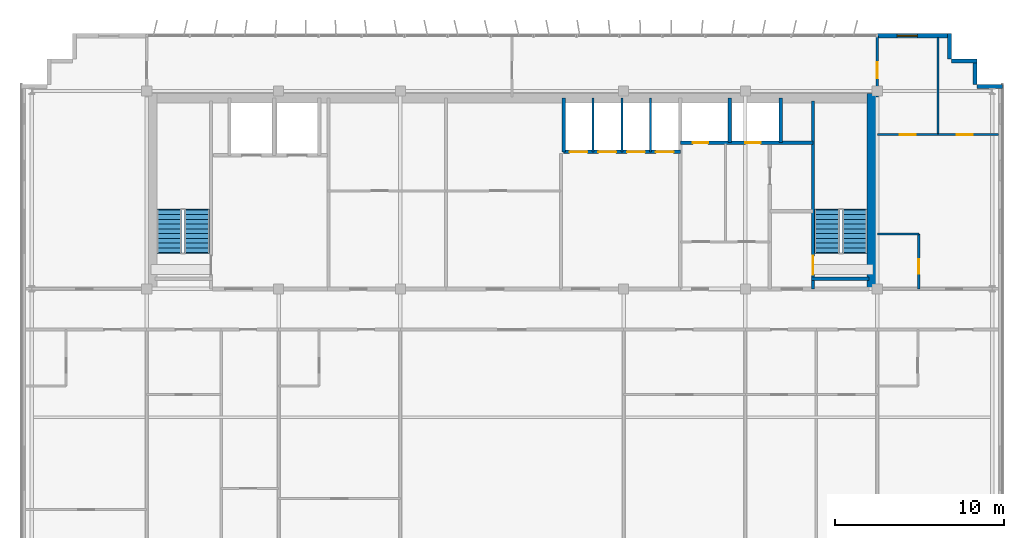
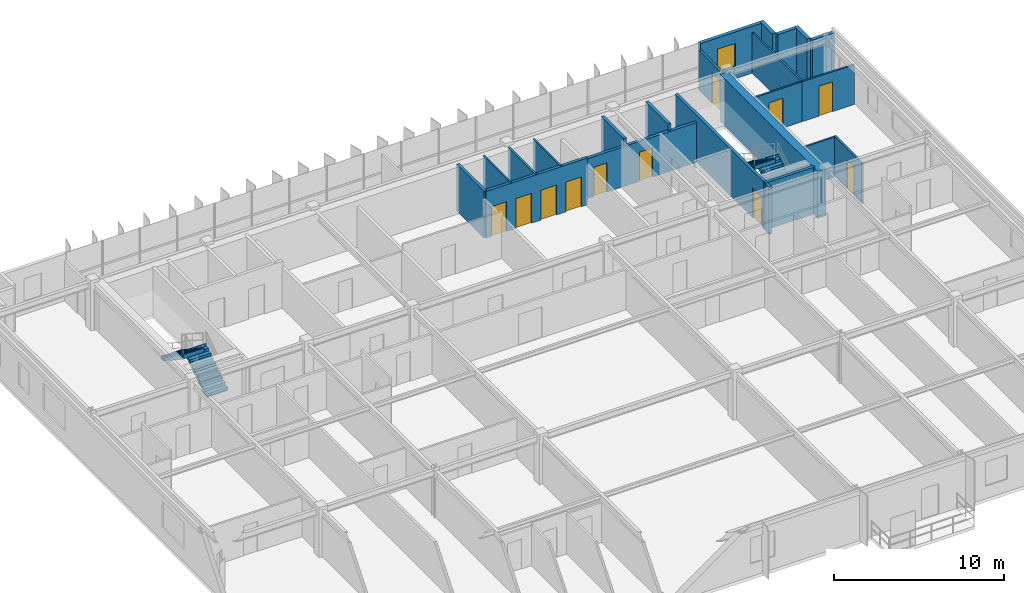
# One storey, part 20 of 22: 22 walls, 11 doors, 4 stair flights, 1 window, 12 openings, 2 elements without a shape of their own.
"""IFC4 building model written with IfcOpenShell, lengths in metres."""

from ifc_helpers import new_model, si_unit, direction, frame, frame_2d, origin, place, context, subcontext, project, spatial, polyline, rectangle, outline, extrude, source, transform, mapped, material, layer, layer_set, type_object, element, fill, aggregate, save


model = new_model("IFC4")

# Units and contexts
model_context = context("Model", 3, precision=1e-05, world=origin(), true_north=direction((0.0, 1.0)))
body_context = subcontext(model_context, "Body", "Model", "MODEL_VIEW")
ifc_project = project(units=[si_unit("LENGTHUNIT", "METRE"), si_unit("AREAUNIT", "SQUARE_METRE"), si_unit("VOLUMEUNIT", "CUBIC_METRE"), si_unit("PLANEANGLEUNIT", "RADIAN"), si_unit("MASSUNIT", "GRAM", prefix="KILO")], contexts=[model_context])

# Site, building, storey
site_placement = place(None, origin())
site = spatial("IfcSite", under=ifc_project, at=site_placement, CompositionType="ELEMENT")
building_placement = place(site_placement, origin())
building = spatial("IfcBuilding", under=site, at=building_placement, Name="Trelvane Seafront Commons", CompositionType="ELEMENT")
storey_placement = place(building_placement, frame((0.0, 0.0, 270.300048828125)))
storey = spatial("IfcBuildingStorey", under=building, at=storey_placement, Name="L70", CompositionType="ELEMENT", Elevation=270.300048828125)

# Wall, opening, window
ifc_material_1 = material(Name="Precast concrete C40/50", Category="concrete")
ifc_layer_1 = layer(ifc_material_1, 0.239990234375, Name="ARCH-WALL-EXT240")
ifc_layer_set_1 = layer_set([ifc_layer_1], Name="Precast concrete C40/50")
wall_type_1 = type_object("IfcWallType", Name="ARCH-WALL-EXT240", PredefinedType="SOLIDWALL", material=ifc_layer_set_1)
wall_1_placement = place(storey_placement, frame((58.800048828125, 48.3701171875, 0.0), z_axis=(0.0, 0.0, 1.0), x_axis=(1.0, 0.0, 0.0)))
wall_1 = element("IfcWall", 1, at=wall_1_placement, inside=storey, type_object=wall_type_1, Name="EW-L70-NE-1404", PredefinedType="SOLIDWALL", context=body_context, shape_type="SweptSolid", body=[
    extrude(rectangle(XDim=4.300048828125, YDim=0.239990234375, at=frame_2d((2.14990234375, 0.0))), origin(), (0.0, 0.0, 1.0), 3.369873046875),
])
opening_1_placement = place(wall_1_placement, frame((1.1689453125, 0.0, 0.89990234375)))
opening_1 = element("IfcOpeningElement", 2, at=opening_1_placement, cuts=wall_1, Name="Opening W05", PredefinedType="OPENING", context=body_context, shape_type="SweptSolid", body=[
    extrude(rectangle(XDim=1.199951171875, YDim=1.64990234375, at=frame_2d((0.60009765625, 0.824951171875))), frame((0.0, 0.1298828125, 0.0), z_axis=(0.0, -1.0, 0.0), x_axis=(1.0, 0.0, 0.0)), (0.0, 0.0, 1.0), 0.260009765625),
])
ifc_material_2 = material(Name="Low-E coastal double glazing", Category="glass")
window_type = type_object("IfcWindowType", Name="ARCH-WIN-W05", PartitioningType="SINGLE_PANEL", PredefinedType="WINDOW", material=ifc_material_2)
shared_shape_1 = source(origin(), body_context, "Body", "SweptSolid", [
    extrude(rectangle(XDim=1.199951171875, YDim=1.64990234375, at=frame_2d((0.60009765625, 0.824951171875))), frame((0.0, 0.030029296875, 0.0), z_axis=(0.0, -1.0, 0.0), x_axis=(1.0, 0.0, 0.0)), (0.0, 0.0, 1.0), 0.06005859375),
])
window_placement = place(opening_1_placement, origin())
window = element("IfcWindow", 3, at=window_placement, inside=storey, type_object=window_type, Name="WIN-L70-01673", OverallHeight=1.64990234375, OverallWidth=1.199951171875, PartitioningType="SINGLE_PANEL", PredefinedType="WINDOW", context=body_context, shape_type="MappedRepresentation", body=[
    mapped(shared_shape_1, transform((0.0, 0.0, 0.0), x_axis=(1.0, 0.0, 0.0), y_axis=(0.0, 1.0, 0.0), z_axis=(0.0, 0.0, 1.0), scale=1.0)),
])
fill(opening_1, window)

# Walls
for number, where, z_axis, x_axis, name in (
    (4, (63.080078125, 48.5, 0.0), (0.0, 0.0, 1.0), (0.0, -1.0, 0.0), "EW-L70-01413"),
    (5, (63.199951171875, 46.8798828125, 0.0), (0.0, 0.0, 1.0), (1.0, 0.0, 0.0), "EW-L70-01414"),
    (6, (64.580078125, 47.0, 0.0), (0.0, 0.0, 1.0), (0.0, -1.0, 0.0), "EW-L70-01415"),
    (7, (64.699951171875, 45.3798828125, 0.0), (0.0, 0.0, 1.0), (1.0, 0.0, 0.0), "EW-L70-01416"),
):
    element("IfcWall", number, at=place(storey_placement, frame(where, z_axis=z_axis, x_axis=x_axis)), inside=storey, type_object=wall_type_1, Name=name, PredefinedType="SOLIDWALL", context=body_context, shape_type="SweptSolid", body=[
        extrude(rectangle(XDim=1.5, YDim=0.239990234375, at=frame_2d((0.75, 0.0))), origin(), (0.0, 0.0, 1.0), 3.369873046875),
    ])
ifc_material_3 = material(Name="Gypsum Drywall Acoustic Partition")
ifc_layer_2 = layer(ifc_material_3, 0.1201171875, Name="ARCH-WALL-PART120")
ifc_layer_set_2 = layer_set([ifc_layer_2], Name="Gypsum Drywall Acoustic Partition")
wall_type_2 = type_object("IfcWallType", Name="ARCH-WALL-PART120", PredefinedType="PARTITIONING", material=ifc_layer_set_2)
for number, where, z_axis, x_axis, name in (
    (8, (42.0, 41.5, 0.0), (0.0, 0.0, 1.0), (0.0, 1.0, 0.0), "W-L70-PH-DIV1-020"),
    (9, (43.699951171875, 41.5, 0.0), (0.0, 0.0, 1.0), (0.0, 1.0, 0.0), "W-L70-PH-DIV2-021"),
    (10, (45.39990234375, 41.5, 0.0), (0.0, 0.0, 1.0), (0.0, 1.0, 0.0), "W-L70-PH-DIV3-022"),
):
    element("IfcWall", number, at=place(storey_placement, frame(where, z_axis=z_axis, x_axis=x_axis)), inside=storey, type_object=wall_type_2, Name=name, PredefinedType="PARTITIONING", context=body_context, shape_type="SweptSolid", body=[
        extrude(rectangle(XDim=3.199951171875, YDim=0.1201171875, at=frame_2d((1.60009765625, 0.0))), origin(), (0.0, 0.0, 1.0), 3.369873046875),
    ])

# Wall, opening, door
wall_2_placement = place(storey_placement, frame((61.25, 33.39990234375, 0.0), z_axis=(0.0, 0.0, 1.0), x_axis=(0.0, 1.0, 0.0)))
wall_2 = element("IfcWall", 11, at=wall_2_placement, inside=storey, type_object=wall_type_2, Name="W-L70-NE-BE-036", PredefinedType="PARTITIONING", context=body_context, shape_type="SweptSolid", body=[
    extrude(rectangle(XDim=3.25, YDim=0.1201171875, at=frame_2d((1.625, 0.0))), origin(), (0.0, 0.0, 1.0), 2.919921875),
])
opening_2_placement = place(wall_2_placement, frame((0.89990234375, 0.0, 0.0)))
opening_2 = element("IfcOpeningElement", 12, at=opening_2_placement, cuts=wall_2, Name="Opening D-L70-23", PredefinedType="OPENING", context=body_context, shape_type="SweptSolid", body=[
    extrude(rectangle(XDim=0.85009765625, YDim=2.10009765625, at=frame_2d((0.425048828125, 1.050048828125))), frame((0.0, 0.070068359375, 0.0), z_axis=(0.0, -1.0, 0.0), x_axis=(1.0, 0.0, 0.0)), (0.0, 0.0, 1.0), 0.14013671875),
])
ifc_material_4 = material(Name="Acoustic timber door leaf", Category="wood")
door_type_1 = type_object("IfcDoorType", Name="ARCH-DR-INT850", OperationType="NOTDEFINED", PredefinedType="DOOR", material=ifc_material_4)
shared_shape_2 = source(origin(), body_context, "Body", "SweptSolid", [
    extrude(rectangle(XDim=0.85009765625, YDim=2.10009765625, at=frame_2d((0.425048828125, 1.050048828125))), frame((0.0, 0.02490234375, 0.0), z_axis=(0.0, -1.0, 0.0), x_axis=(1.0, 0.0, 0.0)), (0.0, 0.0, 1.0), 0.050048828125),
])
door_1_placement = place(opening_2_placement, origin())
door_1 = element("IfcDoor", 13, at=door_1_placement, inside=storey, type_object=door_type_1, Name="L70 Door 23", OperationType="SINGLE_SWING_LEFT", OverallHeight=2.10009765625, OverallWidth=0.85009765625, PredefinedType="DOOR", context=body_context, shape_type="MappedRepresentation", body=[
    mapped(shared_shape_2, transform((0.0, 0.0, 0.0), x_axis=(1.0, 0.0, 0.0), y_axis=(0.0, 1.0, 0.0), z_axis=(0.0, 0.0, 1.0), scale=1.0)),
])
fill(opening_2, door_1)

# Wall
wall_3_placement = place(storey_placement, frame((58.800048828125, 36.64990234375, 0.0), z_axis=(0.0, 0.0, 1.0), x_axis=(1.0, 0.0, 0.0)))
element("IfcWall", 14, at=wall_3_placement, inside=storey, type_object=wall_type_2, Name="W-L70-NE-BN-037", PredefinedType="PARTITIONING", context=body_context, shape_type="SweptSolid", body=[
    extrude(rectangle(XDim=2.449951171875, YDim=0.1201171875, at=frame_2d((1.22509765625, 0.0))), origin(), (0.0, 0.0, 1.0), 2.869873046875),
])

# Wall, opening, door
wall_4_placement = place(storey_placement, frame((58.800048828125, 42.52001953125, 0.0), z_axis=(0.0, 0.0, 1.0), x_axis=(1.0, 0.0, 0.0)))
wall_4 = element("IfcWall", 15, at=wall_4_placement, inside=storey, type_object=wall_type_2, Name="W-L70-NE-KB1-038", PredefinedType="PARTITIONING", context=body_context, shape_type="SweptSolid", body=[
    extrude(rectangle(XDim=3.574951171875, YDim=0.1201171875, at=frame_2d((1.78759765625, 0.0))), origin(), (0.0, 0.0, 1.0), 2.869873046875),
])
opening_3_placement = place(wall_4_placement, frame((1.31298828125, 0.0, 0.0)))
opening_3 = element("IfcOpeningElement", 16, at=opening_3_placement, cuts=wall_4, Name="Opening D-L70-24", PredefinedType="OPENING", context=body_context, shape_type="SweptSolid", body=[
    extrude(rectangle(XDim=0.949951171875, YDim=2.14990234375, at=frame_2d((0.47509765625, 1.074951171875))), frame((0.0, 0.070068359375, 0.0), z_axis=(0.0, -1.0, 0.0), x_axis=(1.0, 0.0, 0.0)), (0.0, 0.0, 1.0), 0.14013671875),
])
door_type_2 = type_object("IfcDoorType", Name="ARCH-DR-INT950", OperationType="NOTDEFINED", PredefinedType="DOOR", material=ifc_material_4)
shared_shape_3 = source(origin(), body_context, "Body", "SweptSolid", [
    extrude(rectangle(XDim=0.949951171875, YDim=2.14990234375, at=frame_2d((0.47509765625, 1.074951171875))), frame((0.0, 0.02490234375, 0.0), z_axis=(0.0, -1.0, 0.0), x_axis=(1.0, 0.0, 0.0)), (0.0, 0.0, 1.0), 0.050048828125),
])
door_2_placement = place(opening_3_placement, origin())
door_2 = element("IfcDoor", 17, at=door_2_placement, inside=storey, type_object=door_type_2, Name="L70 Door 24", OperationType="SINGLE_SWING_RIGHT", OverallHeight=2.14990234375, OverallWidth=0.949951171875, PredefinedType="DOOR", context=body_context, shape_type="MappedRepresentation", body=[
    mapped(shared_shape_3, transform((0.0, 0.0, 0.0), x_axis=(1.0, 0.0, 0.0), y_axis=(0.0, 1.0, 0.0), z_axis=(0.0, 0.0, 1.0), scale=1.0)),
])
fill(opening_3, door_2)

wall_5_placement = place(storey_placement, frame((62.375, 42.52001953125, 0.0), z_axis=(0.0, 0.0, 1.0), x_axis=(1.0, 0.0, 0.0)))
wall_5 = element("IfcWall", 18, at=wall_5_placement, inside=storey, type_object=wall_type_2, Name="W-L70-NE-KB2-039", PredefinedType="PARTITIONING", context=body_context, shape_type="SweptSolid", body=[
    extrude(rectangle(XDim=3.574951171875, YDim=0.1201171875, at=frame_2d((1.78759765625, 0.0))), origin(), (0.0, 0.0, 1.0), 2.869873046875),
])
opening_4_placement = place(wall_5_placement, frame((1.1259765625, 0.0, 0.0)))
opening_4 = element("IfcOpeningElement", 19, at=opening_4_placement, cuts=wall_5, Name="Opening D-L70-25", PredefinedType="OPENING", context=body_context, shape_type="SweptSolid", body=[
    extrude(rectangle(XDim=0.949951171875, YDim=2.14990234375, at=frame_2d((0.47509765625, 1.074951171875))), frame((0.0, 0.070068359375, 0.0), z_axis=(0.0, -1.0, 0.0), x_axis=(1.0, 0.0, 0.0)), (0.0, 0.0, 1.0), 0.14013671875),
])
door_3_placement = place(opening_4_placement, origin())
door_3 = element("IfcDoor", 20, at=door_3_placement, inside=storey, type_object=door_type_2, Name="L70 Door 25", OperationType="SINGLE_SWING_LEFT", OverallHeight=2.14990234375, OverallWidth=0.949951171875, PredefinedType="DOOR", context=body_context, shape_type="MappedRepresentation", body=[
    mapped(shared_shape_3, transform((0.0, 0.0, 0.0), x_axis=(1.0, 0.0, 0.0), y_axis=(0.0, 1.0, 0.0), z_axis=(0.0, 0.0, 1.0), scale=1.0)),
])
fill(opening_4, door_3)

# Wall
wall_6_placement = place(storey_placement, frame((62.375, 42.52001953125, 0.0), z_axis=(0.0, 0.0, 1.0), x_axis=(0.0, 1.0, 0.0)))
element("IfcWall", 21, at=wall_6_placement, inside=storey, type_object=wall_type_2, Name="W-L70-NE-KBDV-040", PredefinedType="PARTITIONING", context=body_context, shape_type="SweptSolid", body=[
    extrude(rectangle(XDim=5.739990234375, YDim=0.1201171875, at=frame_2d((2.8701171875, 0.0))), origin(), (0.0, 0.0, 1.0), 2.919921875),
])

# Wall, opening, door
ifc_layer_3 = layer(ifc_material_3, 0.14990234375, Name="ARCH-WALL-PART150")
ifc_layer_set_3 = layer_set([ifc_layer_3], Name="Gypsum Drywall Acoustic Partition")
wall_type_3 = type_object("IfcWallType", Name="ARCH-WALL-PART150", PredefinedType="PARTITIONING", material=ifc_layer_set_3)
wall_7_placement = place(storey_placement, frame((58.800048828125, 44.75, 0.0), z_axis=(0.0, 0.0, 1.0), x_axis=(0.0, 1.0, 0.0)))
wall_7 = element("IfcWall", 22, at=wall_7_placement, inside=storey, type_object=wall_type_3, Name="W-L70-N-LINK-E-044", PredefinedType="PARTITIONING", context=body_context, shape_type="SweptSolid", body=[
    extrude(rectangle(XDim=3.610107421875, YDim=0.14990234375, at=frame_2d((1.80517578125, 0.0))), origin(), (0.0, 0.0, 1.0), 2.869873046875),
])
opening_5_placement = place(wall_7_placement, frame((1.10009765625, 0.0, 0.0)))
opening_5 = element("IfcOpeningElement", 23, at=opening_5_placement, cuts=wall_7, Name="Opening FD-L70-29", PredefinedType="OPENING", context=body_context, shape_type="SweptSolid", body=[
    extrude(rectangle(XDim=0.949951171875, YDim=2.14990234375, at=frame_2d((0.47509765625, 1.074951171875))), frame((0.0, 0.0849609375, 0.0), z_axis=(0.0, -1.0, 0.0), x_axis=(1.0, 0.0, 0.0)), (0.0, 0.0, 1.0), 0.169921875),
])
ifc_material_5 = material(Name="Powder-coated aluminium frame", Category="aluminium")
door_type_3 = type_object("IfcDoorType", Name="ARCH-DR-FD60-950", OperationType="NOTDEFINED", PredefinedType="DOOR", material=ifc_material_5)
door_4_placement = place(opening_5_placement, origin())
door_4 = element("IfcDoor", 24, at=door_4_placement, inside=storey, type_object=door_type_3, Name="L70 Door 29", OperationType="SINGLE_SWING_LEFT", OverallHeight=2.14990234375, OverallWidth=0.949951171875, PredefinedType="DOOR", context=body_context, shape_type="MappedRepresentation", body=[
    mapped(shared_shape_3, transform((0.0, 0.0, 0.0), x_axis=(1.0, 0.0, 0.0), y_axis=(0.0, 1.0, 0.0), z_axis=(0.0, 0.0, 1.0), scale=1.0)),
])
fill(opening_5, door_4)

# Wall, openings, doors
ifc_material_6 = material(Name="Concrete C40/50", Category="concrete")
ifc_layer_4 = layer(ifc_material_6, 0.199951171875, Name="ARCH-WALL-SHAFT200")
ifc_layer_set_4 = layer_set([ifc_layer_4], Name="Concrete C40/50")
wall_type_4 = type_object("IfcWallType", Name="ARCH-WALL-SHAFT200", PredefinedType="SOLIDWALL", material=ifc_layer_set_4)
wall_8_placement = place(storey_placement, frame((40.25, 41.5, 0.0), z_axis=(0.0, 0.0, 1.0), x_axis=(1.0, 0.0, 0.0)))
wall_8 = element("IfcWall", 25, at=wall_8_placement, inside=storey, type_object=wall_type_4, Name="W-L70-PH-FRONT-018", PredefinedType="SOLIDWALL", context=body_context, shape_type="SweptSolid", body=[
    extrude(rectangle(XDim=6.89990234375, YDim=0.199951171875, at=frame_2d((3.449951171875, 0.0))), origin(), (0.0, 0.0, 1.0), 3.369873046875),
])
opening_6_placement = place(wall_8_placement, frame((0.35009765625, 0.0, 0.0)))
opening_6 = element("IfcOpeningElement", 26, at=opening_6_placement, cuts=wall_8, Name="Opening LD-PH1-L70", PredefinedType="OPENING", context=body_context, shape_type="SweptSolid", body=[
    extrude(rectangle(XDim=1.050048828125, YDim=2.14990234375, at=frame_2d((0.52490234375, 1.074951171875))), frame((0.0, 0.10986328125, 0.0), z_axis=(0.0, -1.0, 0.0), x_axis=(1.0, 0.0, 0.0)), (0.0, 0.0, 1.0), 0.219970703125),
])
opening_7_placement = place(wall_8_placement, frame((2.050048828125, 0.0, 0.0)))
opening_7 = element("IfcOpeningElement", 27, at=opening_7_placement, cuts=wall_8, Name="Opening LD-PH2-L70", PredefinedType="OPENING", context=body_context, shape_type="SweptSolid", body=[
    extrude(rectangle(XDim=1.050048828125, YDim=2.14990234375, at=frame_2d((0.52490234375, 1.074951171875))), frame((0.0, 0.10986328125, 0.0), z_axis=(0.0, -1.0, 0.0), x_axis=(1.0, 0.0, 0.0)), (0.0, 0.0, 1.0), 0.219970703125),
])
opening_8_placement = place(wall_8_placement, frame((3.75, 0.0, 0.0)))
opening_8 = element("IfcOpeningElement", 28, at=opening_8_placement, cuts=wall_8, Name="Opening LD-PH3-L70", PredefinedType="OPENING", context=body_context, shape_type="SweptSolid", body=[
    extrude(rectangle(XDim=1.050048828125, YDim=2.14990234375, at=frame_2d((0.52490234375, 1.074951171875))), frame((0.0, 0.10986328125, 0.0), z_axis=(0.0, -1.0, 0.0), x_axis=(1.0, 0.0, 0.0)), (0.0, 0.0, 1.0), 0.219970703125),
])
opening_9_placement = place(wall_8_placement, frame((5.449951171875, 0.0, 0.0)))
opening_9 = element("IfcOpeningElement", 29, at=opening_9_placement, cuts=wall_8, Name="Opening LD-PH4-L70", PredefinedType="OPENING", context=body_context, shape_type="SweptSolid", body=[
    extrude(rectangle(XDim=1.050048828125, YDim=2.14990234375, at=frame_2d((0.52490234375, 1.074951171875))), frame((0.0, 0.10986328125, 0.0), z_axis=(0.0, -1.0, 0.0), x_axis=(1.0, 0.0, 0.0)), (0.0, 0.0, 1.0), 0.219970703125),
])
ifc_material_7 = material(Name="Stainless steel balustrade", Category="steel")
door_type_4 = type_object("IfcDoorType", Name="ARCH-DR-LD1050", OperationType="DOUBLE_DOOR_SLIDING", PredefinedType="DOOR", material=ifc_material_7)
shared_shape_4 = source(origin(), body_context, "Body", "SweptSolid", [
    extrude(rectangle(XDim=1.050048828125, YDim=2.14990234375, at=frame_2d((0.52490234375, 1.074951171875))), frame((0.0, 0.02490234375, 0.0), z_axis=(0.0, -1.0, 0.0), x_axis=(1.0, 0.0, 0.0)), (0.0, 0.0, 1.0), 0.050048828125),
])
door_5_placement = place(opening_6_placement, origin())
door_5 = element("IfcDoor", 30, at=door_5_placement, inside=storey, type_object=door_type_4, Name="L70 Passenger Lift PH-1 Landing Door", OperationType="DOUBLE_DOOR_SLIDING", OverallHeight=2.14990234375, OverallWidth=1.050048828125, PredefinedType="DOOR", context=body_context, shape_type="MappedRepresentation", body=[
    mapped(shared_shape_4, transform((0.0, 0.0, 0.0), x_axis=(1.0, 0.0, 0.0), y_axis=(0.0, 1.0, 0.0), z_axis=(0.0, 0.0, 1.0), scale=1.0)),
])
fill(opening_6, door_5)
door_6_placement = place(opening_7_placement, origin())
door_6 = element("IfcDoor", 31, at=door_6_placement, inside=storey, type_object=door_type_4, Name="L70 Passenger Lift PH-2 Landing Door", OperationType="DOUBLE_DOOR_SLIDING", OverallHeight=2.14990234375, OverallWidth=1.050048828125, PredefinedType="DOOR", context=body_context, shape_type="MappedRepresentation", body=[
    mapped(shared_shape_4, transform((0.0, 0.0, 0.0), x_axis=(1.0, 0.0, 0.0), y_axis=(0.0, 1.0, 0.0), z_axis=(0.0, 0.0, 1.0), scale=1.0)),
])
fill(opening_7, door_6)
door_7_placement = place(opening_8_placement, origin())
door_7 = element("IfcDoor", 32, at=door_7_placement, inside=storey, type_object=door_type_4, Name="L70 Passenger Lift PH-3 Landing Door", OperationType="DOUBLE_DOOR_SLIDING", OverallHeight=2.14990234375, OverallWidth=1.050048828125, PredefinedType="DOOR", context=body_context, shape_type="MappedRepresentation", body=[
    mapped(shared_shape_4, transform((0.0, 0.0, 0.0), x_axis=(1.0, 0.0, 0.0), y_axis=(0.0, 1.0, 0.0), z_axis=(0.0, 0.0, 1.0), scale=1.0)),
])
fill(opening_8, door_7)
door_8_placement = place(opening_9_placement, origin())
door_8 = element("IfcDoor", 33, at=door_8_placement, inside=storey, type_object=door_type_4, Name="L70 Passenger Lift PH-4 Landing Door", OperationType="DOUBLE_DOOR_SLIDING", OverallHeight=2.14990234375, OverallWidth=1.050048828125, PredefinedType="DOOR", context=body_context, shape_type="MappedRepresentation", body=[
    mapped(shared_shape_4, transform((0.0, 0.0, 0.0), x_axis=(1.0, 0.0, 0.0), y_axis=(0.0, 1.0, 0.0), z_axis=(0.0, 0.0, 1.0), scale=1.0)),
])
fill(opening_9, door_8)

# Wall
wall_9_placement = place(storey_placement, frame((40.25, 41.5, 0.0), z_axis=(0.0, 0.0, 1.0), x_axis=(0.0, 1.0, 0.0)))
element("IfcWall", 34, at=wall_9_placement, inside=storey, type_object=wall_type_4, Name="W-L70-PH-WEST-SH-019", PredefinedType="SOLIDWALL", context=body_context, shape_type="SweptSolid", body=[
    extrude(rectangle(XDim=3.199951171875, YDim=0.199951171875, at=frame_2d((1.60009765625, 0.0))), origin(), (0.0, 0.0, 1.0), 3.369873046875),
])

# Wall, openings, doors
wall_10_placement = place(storey_placement, frame((47.14990234375, 42.050048828125, 0.0), z_axis=(0.0, 0.0, 1.0), x_axis=(1.0, 0.0, 0.0)))
wall_10 = element("IfcWall", 35, at=wall_10_placement, inside=storey, type_object=wall_type_4, Name="W-L70-RSR-S-027", PredefinedType="SOLIDWALL", context=body_context, shape_type="SweptSolid", body=[
    extrude(rectangle(XDim=7.85009765625, YDim=0.199951171875, at=frame_2d((3.925048828125, 0.0))), origin(), (0.0, 0.0, 1.0), 2.869873046875),
])
opening_10_placement = place(wall_10_placement, frame((0.75, 0.0, 0.0)))
opening_10 = element("IfcOpeningElement", 36, at=opening_10_placement, cuts=wall_10, Name="Opening FD-L70-15", PredefinedType="OPENING", context=body_context, shape_type="SweptSolid", body=[
    extrude(rectangle(XDim=0.89990234375, YDim=2.10009765625, at=frame_2d((0.449951171875, 1.050048828125))), frame((0.0, 0.10986328125, 0.0), z_axis=(0.0, -1.0, 0.0), x_axis=(1.0, 0.0, 0.0)), (0.0, 0.0, 1.0), 0.219970703125),
])
opening_11_placement = place(wall_10_placement, frame((3.85009765625, 0.0, 0.0)))
opening_11 = element("IfcOpeningElement", 37, at=opening_11_placement, cuts=wall_10, Name="Opening FD-L70-16", PredefinedType="OPENING", context=body_context, shape_type="SweptSolid", body=[
    extrude(rectangle(XDim=0.89990234375, YDim=2.10009765625, at=frame_2d((0.449951171875, 1.050048828125))), frame((0.0, 0.10986328125, 0.0), z_axis=(0.0, -1.0, 0.0), x_axis=(1.0, 0.0, 0.0)), (0.0, 0.0, 1.0), 0.219970703125),
])
door_type_5 = type_object("IfcDoorType", Name="ARCH-DR-FD60-900", OperationType="NOTDEFINED", PredefinedType="DOOR", material=ifc_material_5)
shared_shape_5 = source(origin(), body_context, "Body", "SweptSolid", [
    extrude(rectangle(XDim=0.89990234375, YDim=2.10009765625, at=frame_2d((0.449951171875, 1.050048828125))), frame((0.0, 0.02490234375, 0.0), z_axis=(0.0, -1.0, 0.0), x_axis=(1.0, 0.0, 0.0)), (0.0, 0.0, 1.0), 0.050048828125),
])
door_9_placement = place(opening_10_placement, origin())
door_9 = element("IfcDoor", 38, at=door_9_placement, inside=storey, type_object=door_type_5, Name="L70 Electrical Riser Access Door", OperationType="SINGLE_SWING_LEFT", OverallHeight=2.10009765625, OverallWidth=0.89990234375, PredefinedType="DOOR", context=body_context, shape_type="MappedRepresentation", body=[
    mapped(shared_shape_5, transform((0.0, 0.0, 0.0), x_axis=(1.0, 0.0, 0.0), y_axis=(0.0, 1.0, 0.0), z_axis=(0.0, 0.0, 1.0), scale=1.0)),
])
fill(opening_10, door_9)
door_10_placement = place(opening_11_placement, origin())
door_10 = element("IfcDoor", 39, at=door_10_placement, inside=storey, type_object=door_type_5, Name="L70 Mechanical Riser Access Door", OperationType="SINGLE_SWING_RIGHT", OverallHeight=2.10009765625, OverallWidth=0.89990234375, PredefinedType="DOOR", context=body_context, shape_type="MappedRepresentation", body=[
    mapped(shared_shape_5, transform((0.0, 0.0, 0.0), x_axis=(1.0, 0.0, 0.0), y_axis=(0.0, 1.0, 0.0), z_axis=(0.0, 0.0, 1.0), scale=1.0)),
])
fill(opening_11, door_10)

# Walls
for number, where, z_axis, x_axis, name in (
    (40, (50.080078125, 42.050048828125, 0.0), (0.0, 0.0, 1.0), (0.0, 1.0, 0.0), "W-L70-RSR-DIV-028"),
    (41, (53.10009765625, 42.050048828125, 0.0), (0.0, 0.0, 1.0), (0.0, 1.0, 0.0), "W-L70-RSR-E-029"),
):
    element("IfcWall", number, at=place(storey_placement, frame(where, z_axis=z_axis, x_axis=x_axis)), inside=storey, type_object=wall_type_4, Name=name, PredefinedType="SOLIDWALL", context=body_context, shape_type="SweptSolid", body=[
        extrude(rectangle(XDim=2.64990234375, YDim=0.199951171875, at=frame_2d((1.324951171875, 0.0))), origin(), (0.0, 0.0, 1.0), 3.369873046875),
    ])
ifc_material_8 = material(Name="Concrete C50/60", Category="concrete")
ifc_layer_5 = layer(ifc_material_8, 0.550048828125, Name="STR-WALL-CORE550")
ifc_layer_set_5 = layer_set([ifc_layer_5], Name="Concrete C50/60")
wall_type_5 = type_object("IfcWallType", Name="STR-WALL-CORE550", PredefinedType="SHEAR", material=ifc_layer_set_5)
wall_11_placement = place(storey_placement, frame((58.47509765625, 33.39990234375, 0.0), z_axis=(0.0, 0.0, 1.0), x_axis=(0.0, 1.0, 0.0)))
element("IfcWall", 42, at=wall_11_placement, inside=storey, type_object=wall_type_5, Name="W-L70-CE-END-003", PredefinedType="SHEAR", context=body_context, shape_type="SweptSolid", body=[
    extrude(rectangle(XDim=11.550048828125, YDim=0.550048828125, at=frame_2d((5.77490234375, 0.0))), origin(), (0.0, 0.0, 1.0), 3.369873046875),
])
ifc_layer_6 = layer(ifc_material_8, 0.199951171875, Name="STR-WALL-STAIR200")
ifc_layer_set_6 = layer_set([ifc_layer_6], Name="Concrete C50/60")
wall_type_6 = type_object("IfcWallType", Name="STR-WALL-STAIR200", PredefinedType="SHEAR", material=ifc_layer_set_6)
wall_12_placement = place(storey_placement, frame((54.89990234375, 34.0, 0.0), z_axis=(0.0, 0.0, 1.0), x_axis=(1.0, 0.0, 0.0)))
element("IfcWall", 43, at=wall_12_placement, inside=storey, type_object=wall_type_6, Name="W-L70-ST2-S-006", PredefinedType="SHEAR", context=body_context, shape_type="SweptSolid", body=[
    extrude(rectangle(XDim=3.400146484375, YDim=0.199951171875, at=frame_2d((1.7001953125, 0.0))), origin(), (0.0, 0.0, 1.0), 3.369873046875),
])

# Wall, opening, door
wall_13_placement = place(storey_placement, frame((55.0, 33.39990234375, 0.0), z_axis=(0.0, 0.0, 1.0), x_axis=(0.0, 1.0, 0.0)))
wall_13 = element("IfcWall", 44, at=wall_13_placement, inside=storey, type_object=wall_type_6, Name="W-L70-ST2-W-007", PredefinedType="SHEAR", context=body_context, shape_type="SweptSolid", body=[
    extrude(rectangle(XDim=11.10009765625, YDim=0.199951171875, at=frame_2d((5.550048828125, 0.0))), origin(), (0.0, 0.0, 1.0), 3.369873046875),
])
opening_12_placement = place(wall_13_placement, frame((0.85009765625, 0.0, 0.0)))
opening_12 = element("IfcOpeningElement", 45, at=opening_12_placement, cuts=wall_13, Name="Opening ST-D2-L70", PredefinedType="OPENING", context=body_context, shape_type="SweptSolid", body=[
    extrude(rectangle(XDim=1.10009765625, YDim=2.14990234375, at=frame_2d((0.550048828125, 1.074951171875))), frame((0.0, 0.10986328125, 0.0), z_axis=(0.0, -1.0, 0.0), x_axis=(1.0, 0.0, 0.0)), (0.0, 0.0, 1.0), 0.219970703125),
])
door_type_6 = type_object("IfcDoorType", Name="ARCH-DR-FD90-1100", OperationType="NOTDEFINED", PredefinedType="DOOR", material=ifc_material_5)
shared_shape_6 = source(origin(), body_context, "Body", "SweptSolid", [
    extrude(rectangle(XDim=1.10009765625, YDim=2.14990234375, at=frame_2d((0.550048828125, 1.074951171875))), frame((0.0, 0.02490234375, 0.0), z_axis=(0.0, -1.0, 0.0), x_axis=(1.0, 0.0, 0.0)), (0.0, 0.0, 1.0), 0.050048828125),
])
door_11_placement = place(opening_12_placement, origin())
door_11 = element("IfcDoor", 46, at=door_11_placement, inside=storey, type_object=door_type_6, Name="L70 Stair ST-2 Vestibule Fire Door", OperationType="SINGLE_SWING_RIGHT", OverallHeight=2.14990234375, OverallWidth=1.10009765625, PredefinedType="DOOR", context=body_context, shape_type="MappedRepresentation", body=[
    mapped(shared_shape_6, transform((0.0, 0.0, 0.0), x_axis=(1.0, 0.0, 0.0), y_axis=(0.0, 1.0, 0.0), z_axis=(0.0, 0.0, 1.0), scale=1.0)),
])
fill(opening_12, door_11)

# Stair, stair flights
stair_type_1 = type_object("IfcStairType", Name="ARCH-STR-ST-1-R20-180", PredefinedType="HALF_TURN_STAIR", material=ifc_material_6)
stair_1_placement = place(storey_placement, origin())
stair_1 = element("IfcStair", 47, at=stair_1_placement, inside=storey, type_object=stair_type_1, Name="L70 West Protected Firefighting Exit Stair ST-1", PredefinedType="HALF_TURN_STAIR")
stair_flight_type_1 = type_object("IfcStairFlightType", Name="ARCH-FLG-ST-1-R20-180", PredefinedType="STRAIGHT", material=ifc_material_6)
shared_shape_7 = source(origin(), body_context, "Body", "SweptSolid", [
    extrude(outline(polyline([(-0.050048828125, -0.02001953125), (-0.050048828125, 0.0), (0.0, 0.0), (0.0, 0.179931640625), (0.280029296875, 0.179931640625), (0.280029296875, 0.360107421875), (0.56005859375, 0.360107421875), (0.56005859375, 0.5400390625), (0.840087890625, 0.5400390625), (0.840087890625, 0.719970703125), (1.1201171875, 0.719970703125), (1.1201171875, 0.89990234375), (1.39990234375, 0.89990234375), (1.39990234375, 1.080078125), (1.679931640625, 1.080078125), (1.679931640625, 1.260009765625), (1.9599609375, 1.260009765625), (1.9599609375, 1.43994140625), (2.239990234375, 1.43994140625), (2.239990234375, 1.6201171875), (2.52001953125, 1.6201171875), (2.52001953125, 1.800048828125), (2.570068359375, 1.800048828125), (2.570068359375, 1.650146484375), (2.52001953125, 1.44189453125), (0.277099609375, -0.02001953125), (-0.050048828125, -0.02001953125)])), frame((0.0, 0.72509765625, 0.0), z_axis=(0.0, -1.0, 0.0), x_axis=(1.0, 0.0, 0.0)), (0.0, 0.0, 1.0), 1.449951171875),
])
stair_flight_1_placement = place(storey_placement, frame((18.574951171875, 35.550048828125, 0.0), z_axis=(0.0, 0.0, 1.0), x_axis=(0.0, 1.0, 0.0)))
stair_flight_1 = element("IfcStairFlight", 48, at=stair_flight_1_placement, type_object=stair_flight_type_1, Name="ST-1 flight 1", NumberOfRisers=10, NumberOfTreads=9, PredefinedType="STRAIGHT", RiserHeight=0.18, TreadLength=0.28, context=body_context, shape_type="MappedRepresentation", body=[
    mapped(shared_shape_7, transform((0.0, 0.0, 0.0), x_axis=(1.0, 0.0, 0.0), y_axis=(0.0, 1.0, 0.0), z_axis=(0.0, 0.0, 1.0), scale=1.0)),
])
stair_flight_2_placement = place(storey_placement, frame((16.925048828125, 38.070068359375, 1.800048828125), z_axis=(0.0, 0.0, 1.0), x_axis=(0.0, -1.0, 0.0)))
stair_flight_2 = element("IfcStairFlight", 49, at=stair_flight_2_placement, type_object=stair_flight_type_1, Name="ST-1 flight 2", NumberOfRisers=10, NumberOfTreads=9, PredefinedType="STRAIGHT", RiserHeight=0.18, TreadLength=0.28, context=body_context, shape_type="MappedRepresentation", body=[
    mapped(shared_shape_7, transform((0.0, 0.0, 0.0), x_axis=(1.0, 0.0, 0.0), y_axis=(0.0, 1.0, 0.0), z_axis=(0.0, 0.0, 1.0), scale=1.0)),
])
aggregate(stair_1, [stair_flight_1, stair_flight_2])

stair_type_2 = type_object("IfcStairType", Name="ARCH-STR-ST-2-R20-180", PredefinedType="HALF_TURN_STAIR", material=ifc_material_6)
stair_2_placement = place(storey_placement, origin())
stair_2 = element("IfcStair", 50, at=stair_2_placement, inside=storey, type_object=stair_type_2, Name="L70 East Protected Firefighting Exit Stair ST-2", PredefinedType="HALF_TURN_STAIR")
stair_flight_type_2 = type_object("IfcStairFlightType", Name="ARCH-FLG-ST-2-R20-180", PredefinedType="STRAIGHT", material=ifc_material_6)
stair_flight_3_placement = place(storey_placement, frame((57.47509765625, 35.550048828125, 0.0), z_axis=(0.0, 0.0, 1.0), x_axis=(0.0, 1.0, 0.0)))
stair_flight_3 = element("IfcStairFlight", 51, at=stair_flight_3_placement, type_object=stair_flight_type_2, Name="ST-2 flight 1", NumberOfRisers=10, NumberOfTreads=9, PredefinedType="STRAIGHT", RiserHeight=0.18, TreadLength=0.28, context=body_context, shape_type="MappedRepresentation", body=[
    mapped(shared_shape_7, transform((0.0, 0.0, 0.0), x_axis=(1.0, 0.0, 0.0), y_axis=(0.0, 1.0, 0.0), z_axis=(0.0, 0.0, 1.0), scale=1.0)),
])
stair_flight_4_placement = place(storey_placement, frame((55.824951171875, 38.070068359375, 1.800048828125), z_axis=(0.0, 0.0, 1.0), x_axis=(0.0, -1.0, 0.0)))
stair_flight_4 = element("IfcStairFlight", 52, at=stair_flight_4_placement, type_object=stair_flight_type_2, Name="ST-2 flight 2", NumberOfRisers=10, NumberOfTreads=9, PredefinedType="STRAIGHT", RiserHeight=0.18, TreadLength=0.28, context=body_context, shape_type="MappedRepresentation", body=[
    mapped(shared_shape_7, transform((0.0, 0.0, 0.0), x_axis=(1.0, 0.0, 0.0), y_axis=(0.0, 1.0, 0.0), z_axis=(0.0, 0.0, 1.0), scale=1.0)),
])
aggregate(stair_2, [stair_flight_3, stair_flight_4])

save(model, "model.ifc")
